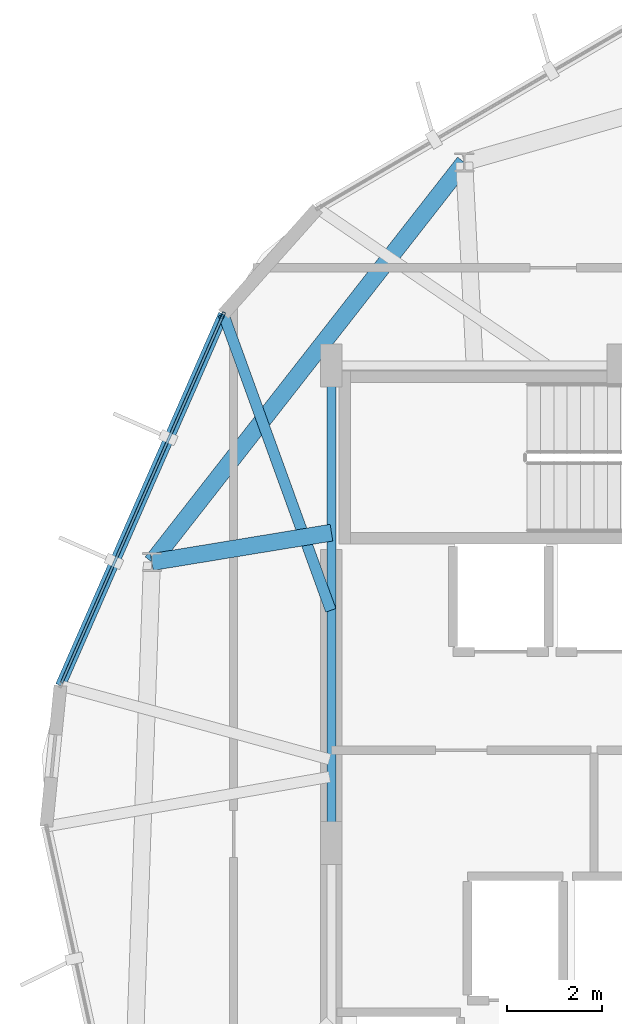
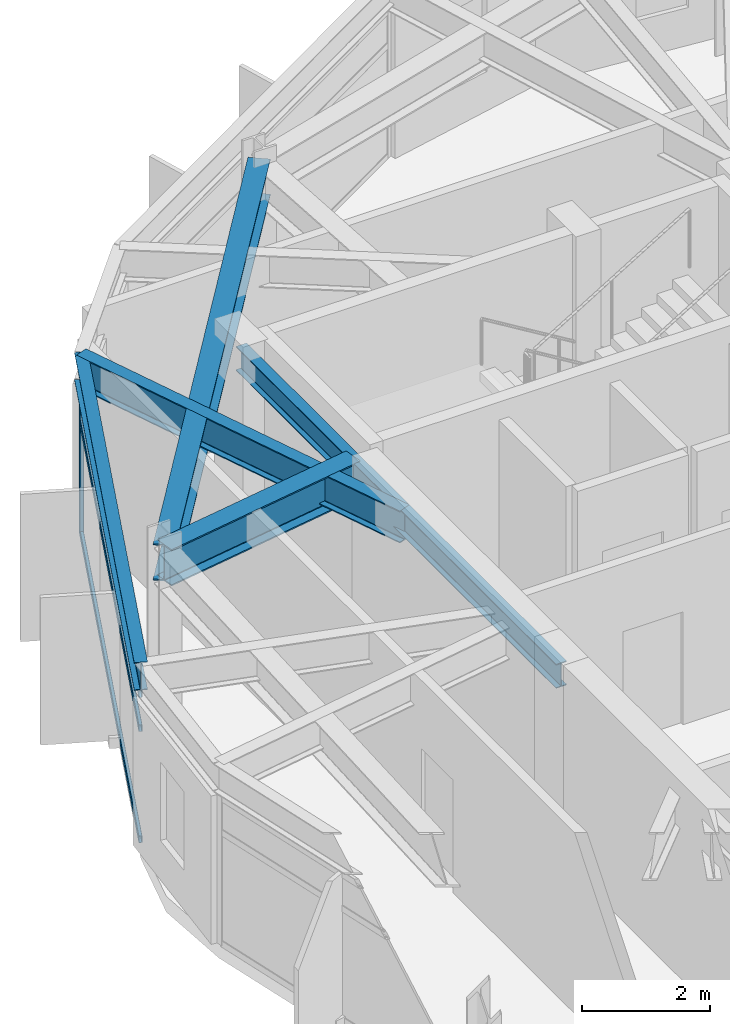
# One storey, part 10 of 25: 5 beams, 4 members, 1 element without a shape of its own.
"""IFC4 building model written with IfcOpenShell, lengths in metres."""

from ifc_helpers import new_model, si_unit, direction, frame, origin, origin_2d, place, context, subcontext, project, spatial, hollow_rectangle, i_section, extrude, material, layer, layer_set, material_profile, profile_set, type_object, element, aggregate, save


model = new_model("IFC4")

# Units and contexts
model_context = context("Model", 3, precision=1e-05, world=origin(), true_north=direction((0.0, 1.0)))
body_context = subcontext(model_context, "Body", "Model", "MODEL_VIEW")
ifc_project = project(units=[si_unit("LENGTHUNIT", "METRE"), si_unit("AREAUNIT", "SQUARE_METRE"), si_unit("VOLUMEUNIT", "CUBIC_METRE"), si_unit("PLANEANGLEUNIT", "RADIAN"), si_unit("MASSUNIT", "GRAM", prefix="KILO")], contexts=[model_context])

# Site, building, storey
site_placement = place(None, origin())
site = spatial("IfcSite", under=ifc_project, at=site_placement, CompositionType="ELEMENT")
building_placement = place(site_placement, origin())
building = spatial("IfcBuilding", under=site, at=building_placement, Name="Soratama Intermodal Tower", CompositionType="ELEMENT")
storey_placement = place(building_placement, frame((0.0, 0.0, 276.25)))
storey = spatial("IfcBuildingStorey", under=building, at=storey_placement, Name="L70", CompositionType="ELEMENT", Elevation=276.25)

# Beams
ifc_material_1 = material(Name="Structural steel ASTM A992 Grade 50", Category="steel")
ifc_material_profile_1 = material_profile(ifc_material_1, i_section(OverallWidth=0.19091796875, OverallDepth=0.4599609375, WebThickness=0.010009765625, FlangeThickness=0.01611328125, FilletRadius=0.010986328125, at=origin_2d()), Name="W18X55")
ifc_profile_set_1 = profile_set([ifc_material_profile_1], Name="Structural steel ASTM A992 Grade 50")
beam_type_1 = type_object("IfcBeamType", Name="BM-FLR-W18X55", PredefinedType="BEAM", material=ifc_profile_set_1)
beam_1_placement = place(storey_placement, frame((32.60009765625, 35.0, 3.219970703125), z_axis=(0.0, -1.0, 0.0), x_axis=(1.0, 0.0, 0.0)))
element("IfcBeam", 1, at=beam_1_placement, inside=storey, type_object=beam_type_1, Name="BM-L70-CRING-08", PredefinedType="BEAM", context=body_context, shape_type="SweptSolid", body=[
    extrude(i_section(OverallWidth=0.19091796875, OverallDepth=0.4599609375, WebThickness=0.010009765625, FlangeThickness=0.01611328125, FilletRadius=0.010986328125, at=origin_2d()), origin(), (0.0, 0.0, 1.0), 10.0),
])
ifc_material_2 = material(Name="Structural steel ASTM A992 Grade 50", Category="steel")
ifc_material_profile_2 = material_profile(ifc_material_2, i_section(OverallWidth=0.35498046875, OverallDepth=0.695068359375, WebThickness=0.015380859375, FlangeThickness=0.02490234375, FilletRadius=0.01611328125, at=origin_2d()), Name="W27X146")
ifc_profile_set_2 = profile_set([ifc_material_profile_2], Name="Structural steel ASTM A992 Grade 50")
beam_type_2 = type_object("IfcBeamType", Name="BM-RING-W27X146", PredefinedType="BEAM", material=ifc_profile_set_2)
beam_2_placement = place(storey_placement, frame((35.382080078125, 39.259033203125, 3.1025390625), z_axis=(-0.6157278291, -0.787958907858, 0.0), x_axis=(0.787958907858, -0.6157278291, 0.0)))
element("IfcBeam", 2, at=beam_2_placement, inside=storey, type_object=beam_type_2, Name="BM-L70-RING-04", PredefinedType="BEAM", context=body_context, shape_type="SweptSolid", body=[
    extrude(i_section(OverallWidth=0.35498046875, OverallDepth=0.695068359375, WebThickness=0.015380859375, FlangeThickness=0.02490234375, FilletRadius=0.01611328125, at=origin_2d()), origin(), (0.0, 0.0, 1.0), 10.6298828125),
])
beam_3_placement = place(storey_placement, frame((32.60009765625, 31.5, 3.1025390625), z_axis=(-0.986826492219, -0.161782181513, 0.0), x_axis=(0.161782181513, -0.986826492219, 0.0)))
element("IfcBeam", 3, at=beam_3_placement, inside=storey, type_object=beam_type_2, Name="BM-L70-RAD-05", PredefinedType="BEAM", context=body_context, shape_type="SweptSolid", body=[
    extrude(i_section(OverallWidth=0.35498046875, OverallDepth=0.695068359375, WebThickness=0.015380859375, FlangeThickness=0.02490234375, FilletRadius=0.01611328125, at=origin_2d()), origin(), (0.0, 0.0, 1.0), 3.8134765625),
])
ifc_material_3 = material(Name="Structural steel ASTM A992 Grade 50", Category="steel")
ifc_material_profile_3 = material_profile(ifc_material_3, i_section(OverallWidth=0.2099609375, OverallDepth=0.537109375, WebThickness=0.010986328125, FlangeThickness=0.017333984375, FilletRadius=0.012939453125, at=origin_2d()), Name="W21X68")
ifc_profile_set_3 = profile_set([ifc_material_profile_3], Name="Structural steel ASTM A992 Grade 50")
beam_type_3 = type_object("IfcBeamType", Name="BM-SPN-W21X68", PredefinedType="SPANDREL", material=ifc_profile_set_3)
beam_4_placement = place(storey_placement, frame((30.3359375, 36.077880859375, 3.181396484375), z_axis=(-0.401901955072, -0.915682706241, 0.0), x_axis=(0.915682706241, -0.401901955072, 0.0)))
element("IfcBeam", 4, at=beam_4_placement, inside=storey, type_object=beam_type_3, Name="BS-L70-F03", PredefinedType="SPANDREL", context=body_context, shape_type="SweptSolid", body=[
    extrude(i_section(OverallWidth=0.2099609375, OverallDepth=0.537109375, WebThickness=0.010986328125, FlangeThickness=0.017333984375, FilletRadius=0.012939453125, at=origin_2d()), origin(), (0.0, 0.0, 1.0), 8.49951171875),
])
ifc_material_4 = material(Name="Structural steel ASTM A992 Grade 50", Category="steel")
ifc_material_profile_4 = material_profile(ifc_material_4, i_section(OverallWidth=0.22900390625, OverallDepth=0.612060546875, WebThickness=0.011962890625, FlangeThickness=0.01953125, FilletRadius=0.012939453125, at=origin_2d()), Name="W24X84")
ifc_profile_set_4 = profile_set([ifc_material_profile_4], Name="Structural steel ASTM A992 Grade 50")
beam_type_4 = type_object("IfcBeamType", Name="BM-TIE-W24X84", PredefinedType="BEAM", material=ifc_profile_set_4)
beam_5_placement = place(storey_placement, frame((32.5859375, 29.8720703125, 3.14404296875), z_axis=(-0.340852034489, 0.940116955801, 0.0), x_axis=(-0.940116955801, -0.340852034489, 0.0)))
element("IfcBeam", 5, at=beam_5_placement, inside=storey, type_object=beam_type_4, Name="BM-L70-TIE0-03", PredefinedType="BEAM", context=body_context, shape_type="SweptSolid", body=[
    extrude(i_section(OverallWidth=0.22900390625, OverallDepth=0.612060546875, WebThickness=0.011962890625, FlangeThickness=0.01953125, FilletRadius=0.012939453125, at=origin_2d()), origin(), (0.0, 0.0, 1.0), 6.60107421875),
])

# Curtain wall, members
ifc_material_5 = material(Name="Double-glazed aluminium curtain wall", Category="aluminium")
ifc_layer = layer(ifc_material_5, 0.159912109375)
ifc_layer_set = layer_set([ifc_layer], Name="Double-glazed aluminium curtain wall")
curtain_wall_type = type_object("IfcCurtainWallType", Name="CW-SYS-5", PredefinedType="NOTDEFINED", material=ifc_layer_set)
curtain_wall_placement = place(storey_placement, origin())
curtain_wall = element("IfcCurtainWall", 6, at=curtain_wall_placement, inside=storey, type_object=curtain_wall_type, Name="L70 Faceted Curtain Wall F03", PredefinedType="NOTDEFINED")
ifc_material_6 = material(Name="Anodised aluminium AA 6063-T6", Category="aluminium")
ifc_material_profile_5 = material_profile(ifc_material_6, hollow_rectangle(XDim=0.06494140625, YDim=0.139892578125, WallThickness=0.0048828125, InnerFilletRadius=0.0048828125, OuterFilletRadius=0.010009765625, at=origin_2d()), Name="CWM140X65X5")
ifc_profile_set_5 = profile_set([ifc_material_profile_5], Name="Anodised aluminium AA 6063-T6")
member_type_1 = type_object("IfcMemberType", Name="MT-CWM-5", PredefinedType="MULLION", material=ifc_profile_set_5)
member_1_placement = place(storey_placement, frame((30.32421875, 36.05078125, 0.0), z_axis=(0.0, 0.0, 1.0), x_axis=(0.915660611945, -0.401952290369, 0.0)))
member_1 = element("IfcMember", 7, at=member_1_placement, type_object=member_type_1, Name="CW-5 mullion 1", PredefinedType="MULLION", context=body_context, shape_type="SweptSolid", body=[
    extrude(hollow_rectangle(XDim=0.06494140625, YDim=0.139892578125, WallThickness=0.0048828125, InnerFilletRadius=0.0048828125, OuterFilletRadius=0.010009765625, at=origin_2d()), origin(), (0.0, 0.0, 1.0), 2.8291015625),
])
ifc_material_7 = material(Name="Anodised aluminium AA 6063-T6", Category="aluminium")
ifc_material_profile_6 = material_profile(ifc_material_7, hollow_rectangle(XDim=0.06005859375, YDim=0.1298828125, WallThickness=0.0048828125, InnerFilletRadius=0.0048828125, OuterFilletRadius=0.010009765625, at=origin_2d()), Name="CWT130X60X5")
ifc_profile_set_6 = profile_set([ifc_material_profile_6], Name="Anodised aluminium AA 6063-T6")
member_type_2 = type_object("IfcMemberType", Name="TT-CWT-2", PredefinedType="USERDEFINED", material=ifc_profile_set_6)
member_2_placement = place(storey_placement, frame((30.312255859375, 36.023193359375, 0.030029296875), z_axis=(-0.40197397603, -0.915651092171, 0.0), x_axis=(0.915651092171, -0.40197397603, 0.0)))
member_2 = element("IfcMember", 8, at=member_2_placement, type_object=member_type_2, Name="CW-5 transom 1.1", ObjectType="TRANSOM", PredefinedType="USERDEFINED", context=body_context, shape_type="SweptSolid", body=[
    extrude(hollow_rectangle(XDim=0.06005859375, YDim=0.1298828125, WallThickness=0.0048828125, InnerFilletRadius=0.0048828125, OuterFilletRadius=0.010009765625, at=origin_2d()), origin(), (0.0, 0.0, 1.0), 8.379638671875),
])
member_3_placement = place(storey_placement, frame((30.312255859375, 36.023193359375, 2.14990234375), z_axis=(-0.40197397603, -0.915651092171, 0.0), x_axis=(0.915651092171, -0.40197397603, 0.0)))
member_3 = element("IfcMember", 9, at=member_3_placement, type_object=member_type_2, Name="CW-5 transom 1.2", ObjectType="TRANSOM", PredefinedType="USERDEFINED", context=body_context, shape_type="SweptSolid", body=[
    extrude(hollow_rectangle(XDim=0.06005859375, YDim=0.1298828125, WallThickness=0.0048828125, InnerFilletRadius=0.0048828125, OuterFilletRadius=0.010009765625, at=origin_2d()), origin(), (0.0, 0.0, 1.0), 8.379638671875),
])
member_4_placement = place(storey_placement, frame((30.312255859375, 36.023193359375, 2.799072265625), z_axis=(-0.40197397603, -0.915651092171, 0.0), x_axis=(0.915651092171, -0.40197397603, 0.0)))
member_4 = element("IfcMember", 10, at=member_4_placement, type_object=member_type_2, Name="CW-5 transom 1.3", ObjectType="TRANSOM", PredefinedType="USERDEFINED", context=body_context, shape_type="SweptSolid", body=[
    extrude(hollow_rectangle(XDim=0.06005859375, YDim=0.1298828125, WallThickness=0.0048828125, InnerFilletRadius=0.0048828125, OuterFilletRadius=0.010009765625, at=origin_2d()), origin(), (0.0, 0.0, 1.0), 8.379638671875),
])
aggregate(curtain_wall, [member_1, member_2, member_3, member_4])

save(model, "model.ifc")
